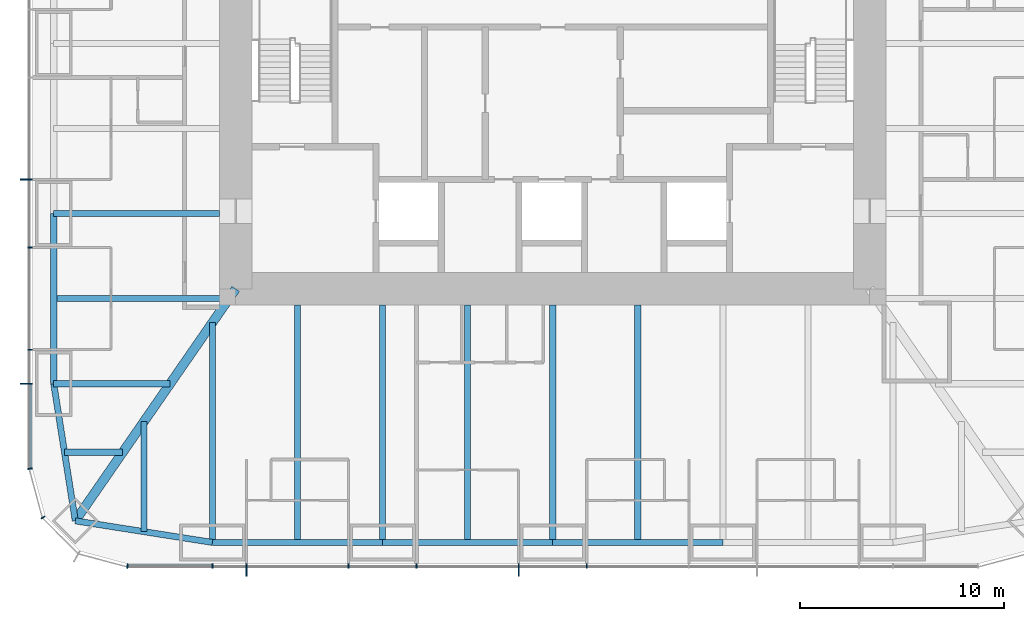
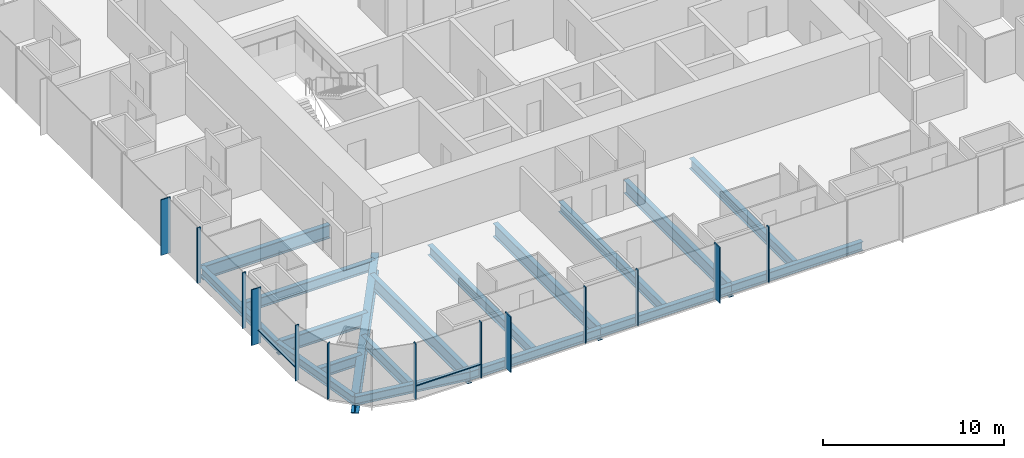
# One storey, part 2 of 13: 18 beams, 15 members, 3 elements without a shape of their own.
"""IFC4 building model written with IfcOpenShell, lengths in metres."""

from ifc_helpers import new_model, si_unit, direction, frame, origin, origin_2d, place, context, subcontext, project, spatial, rectangle, i_section, extrude, material, material_profile, profile_set, type_object, element, aggregate, save


model = new_model("IFC4")

# Units and contexts
model_context = context("Model", 3, precision=1e-05, world=origin(), true_north=direction((0.0, 1.0)))
body_context = subcontext(model_context, "Body", "Model", "MODEL_VIEW")
ifc_project = project(units=[si_unit("LENGTHUNIT", "METRE"), si_unit("AREAUNIT", "SQUARE_METRE"), si_unit("VOLUMEUNIT", "CUBIC_METRE"), si_unit("PLANEANGLEUNIT", "RADIAN"), si_unit("MASSUNIT", "GRAM", prefix="KILO")], contexts=[model_context])

# Site, building, storey
site_placement = place(None, origin())
site = spatial("IfcSite", under=ifc_project, at=site_placement, CompositionType="ELEMENT")
building_placement = place(site_placement, origin())
building = spatial("IfcBuilding", under=site, at=building_placement, Name="Khuree Lantern Residences", CompositionType="ELEMENT")
storey_placement = place(building_placement, frame((0.0, 0.0, 267.0)))
storey = spatial("IfcBuildingStorey", under=building, at=storey_placement, Name="L67", CompositionType="ELEMENT", Elevation=267.0)

# Beams
ifc_material_1 = material(Name="Steel S355", Category="steel")
ifc_material_profile_1 = material_profile(ifc_material_1, i_section(OverallWidth=0.300048828125, OverallDepth=0.68994140625, WebThickness=0.014404296875, FlangeThickness=0.027099609375, FilletRadius=0.027099609375, at=origin_2d()), Name="HE 700 A")
ifc_profile_set_1 = profile_set([ifc_material_profile_1], Name="Steel S355")
beam_type_1 = type_object("IfcBeamType", Name="B-35 SECONDARY BEAM HE 700 A", PredefinedType="BEAM", material=ifc_profile_set_1)
for number, where, z_axis, x_axis, name in (
    (1, (4.159912109375, -24.39990234375, -0.594970703125), (0.0, 1.0, 0.0), (-1.0, 0.0, 0.0), "Secondary beam S3"),
    (2, (-4.159912109375, -24.39990234375, -0.594970703125), (0.0, 1.0, 0.0), (-1.0, 0.0, 0.0), "Secondary beam S4"),
    (3, (-12.47998046875, -24.39990234375, -0.594970703125), (0.0, 1.0, 0.0), (-1.0, 0.0, 0.0), "Secondary beam S5"),
):
    element("IfcBeam", number, at=place(storey_placement, frame(where, z_axis=z_axis, x_axis=x_axis)), inside=storey, type_object=beam_type_1, Name=name, PredefinedType="BEAM", context=body_context, shape_type="SweptSolid", body=[
        extrude(i_section(OverallWidth=0.300048828125, OverallDepth=0.68994140625, WebThickness=0.014404296875, FlangeThickness=0.027099609375, FilletRadius=0.027099609375, at=origin_2d()), origin(), (0.0, 0.0, 1.0), 11.599853515625),
    ])
beam_1_placement = place(storey_placement, frame((-19.992919921875, -23.872802734375, -0.594970703125), z_axis=(0.0, 1.0, 0.0), x_axis=(-1.0, 0.0, 0.0)))
element("IfcBeam", 4, at=beam_1_placement, inside=storey, type_object=beam_type_1, Name="Secondary beam S6", PredefinedType="BEAM", context=body_context, shape_type="SweptSolid", body=[
    extrude(i_section(OverallWidth=0.300048828125, OverallDepth=0.68994140625, WebThickness=0.014404296875, FlangeThickness=0.027099609375, FilletRadius=0.027099609375, at=origin_2d()), origin(), (0.0, 0.0, 1.0), 5.375732421875),
])
beam_2_placement = place(storey_placement, frame((-23.872802734375, -19.992919921875, -0.594970703125), z_axis=(1.0, 0.0, 0.0), x_axis=(0.0, 1.0, 0.0)))
element("IfcBeam", 5, at=beam_2_placement, inside=storey, type_object=beam_type_1, Name="Secondary beam W1", PredefinedType="BEAM", context=body_context, shape_type="SweptSolid", body=[
    extrude(i_section(OverallWidth=0.300048828125, OverallDepth=0.68994140625, WebThickness=0.014404296875, FlangeThickness=0.027099609375, FilletRadius=0.027099609375, at=origin_2d()), origin(), (0.0, 0.0, 1.0), 2.845703125),
])
beam_3_placement = place(storey_placement, frame((-24.39990234375, -12.47998046875, -0.594970703125), z_axis=(1.0, 0.0, 0.0), x_axis=(0.0, 1.0, 0.0)))
element("IfcBeam", 6, at=beam_3_placement, inside=storey, type_object=beam_type_1, Name="Secondary beam W2", PredefinedType="BEAM", context=body_context, shape_type="SweptSolid", body=[
    extrude(i_section(OverallWidth=0.300048828125, OverallDepth=0.68994140625, WebThickness=0.014404296875, FlangeThickness=0.027099609375, FilletRadius=0.027099609375, at=origin_2d()), origin(), (0.0, 0.0, 1.0), 8.56787109375),
])
ifc_material_profile_2 = material_profile(ifc_material_1, i_section(OverallWidth=0.300048828125, OverallDepth=0.590087890625, WebThickness=0.012939453125, FlangeThickness=0.02490234375, FilletRadius=0.027099609375, at=origin_2d()), Name="HE 600 A")
ifc_profile_set_2 = profile_set([ifc_material_profile_2], Name="Steel S355")
beam_type_2 = type_object("IfcBeamType", Name="E-35 SPANDREL BEAM HE 600 A", PredefinedType="SPANDREL", material=ifc_profile_set_2)
for number, where, z_axis, x_axis, name in (
    (7, (8.320068359375, -24.39990234375, -0.544921875), (-1.0, 0.0, 0.0), (0.0, -1.0, 0.0), "Spandrel beam S3"),
    (8, (0.0, -24.39990234375, -0.544921875), (-1.0, 0.0, 0.0), (0.0, -1.0, 0.0), "Spandrel beam S4"),
):
    element("IfcBeam", number, at=place(storey_placement, frame(where, z_axis=z_axis, x_axis=x_axis)), inside=storey, type_object=beam_type_2, Name=name, PredefinedType="SPANDREL", context=body_context, shape_type="SweptSolid", body=[
        extrude(i_section(OverallWidth=0.300048828125, OverallDepth=0.590087890625, WebThickness=0.012939453125, FlangeThickness=0.02490234375, FilletRadius=0.027099609375, at=origin_2d()), origin(), (0.0, 0.0, 1.0), 8.320068359375),
    ])
beam_4_placement = place(storey_placement, frame((-8.320068359375, -24.39990234375, -0.544921875), z_axis=(-1.0, 0.0, 0.0), x_axis=(0.0, -1.0, 0.0)))
element("IfcBeam", 9, at=beam_4_placement, inside=storey, type_object=beam_type_2, Name="Spandrel beam S5", PredefinedType="SPANDREL", context=body_context, shape_type="SweptSolid", body=[
    extrude(i_section(OverallWidth=0.300048828125, OverallDepth=0.590087890625, WebThickness=0.012939453125, FlangeThickness=0.02490234375, FilletRadius=0.027099609375, at=origin_2d()), origin(), (0.0, 0.0, 1.0), 8.31982421875),
])
for number, where, z_axis, x_axis, name in (
    (10, (-16.639892578125, -24.39990234375, -0.544921875), (-0.98786743189, 0.155299507442, 0.0), (-0.155299507442, -0.98786743189, 0.0), "Spandrel beam S6"),
    (11, (-23.345703125, -23.345703125, -0.544921875), (-0.155299507442, 0.98786743189, 0.0), (-0.98786743189, -0.155299507442, 0.0), "Spandrel beam W1"),
):
    element("IfcBeam", number, at=place(storey_placement, frame(where, z_axis=z_axis, x_axis=x_axis)), inside=storey, type_object=beam_type_2, Name=name, PredefinedType="SPANDREL", context=body_context, shape_type="SweptSolid", body=[
        extrude(i_section(OverallWidth=0.300048828125, OverallDepth=0.590087890625, WebThickness=0.012939453125, FlangeThickness=0.02490234375, FilletRadius=0.027099609375, at=origin_2d()), origin(), (0.0, 0.0, 1.0), 6.7880859375),
    ])
beam_5_placement = place(storey_placement, frame((-24.39990234375, -16.639892578125, -0.544921875), z_axis=(0.0, 1.0, 0.0), x_axis=(-1.0, 0.0, 0.0)))
element("IfcBeam", 12, at=beam_5_placement, inside=storey, type_object=beam_type_2, Name="Spandrel beam W2", PredefinedType="SPANDREL", context=body_context, shape_type="SweptSolid", body=[
    extrude(i_section(OverallWidth=0.300048828125, OverallDepth=0.590087890625, WebThickness=0.012939453125, FlangeThickness=0.02490234375, FilletRadius=0.027099609375, at=origin_2d()), origin(), (0.0, 0.0, 1.0), 8.31982421875),
])

# Curtain wall, members
ifc_material_2 = material(Name="Bronze anodised aluminium", Category="aluminium")
curtain_wall_type_1 = type_object("IfcCurtainWallType", Name="CW-T1 TOWER FACE CURTAIN WALL", PredefinedType="USERDEFINED", material=ifc_material_2)
curtain_wall_1_placement = place(storey_placement, origin())
curtain_wall_1 = element("IfcCurtainWall", 13, at=curtain_wall_1_placement, inside=storey, type_object=curtain_wall_type_1, Name="L67 WEST FACE CURTAIN WALL", ObjectType="Stick-built curtain wall", PredefinedType="USERDEFINED")
ifc_material_profile_3 = material_profile(ifc_material_2, rectangle(XDim=0.06494140625, YDim=0.60009765625, at=origin_2d()), Name="F1 65X600")
ifc_profile_set_3 = profile_set([ifc_material_profile_3], Name="Bronze anodised aluminium")
member_type_1 = type_object("IfcMemberType", Name="F1 BRONZE FIN MULLION TOWER 65X600", PredefinedType="MULLION", material=ifc_profile_set_3)
member_1_placement = place(storey_placement, frame((-25.75, -6.656005859375, 0.0), z_axis=(0.0, 0.0, 1.0), x_axis=(0.0, -1.0, 0.0)))
member_1 = element("IfcMember", 14, at=member_1_placement, type_object=member_type_1, Name="L67 WEST FACE FIN MULLION 39", PredefinedType="MULLION", context=body_context, shape_type="SweptSolid", body=[
    extrude(rectangle(XDim=0.06494140625, YDim=0.60009765625, at=origin_2d()), origin(), (0.0, 0.0, 1.0), 3.75),
])
member_2_placement = place(storey_placement, frame((-25.75, -16.639892578125, 0.0), z_axis=(0.0, 0.0, 1.0), x_axis=(0.0, -1.0, 0.0)))
member_2 = element("IfcMember", 15, at=member_2_placement, type_object=member_type_1, Name="L67 WEST FACE FIN MULLION 42", PredefinedType="MULLION", context=body_context, shape_type="SweptSolid", body=[
    extrude(rectangle(XDim=0.06494140625, YDim=0.60009765625, at=origin_2d()), origin(), (0.0, 0.0, 1.0), 3.75),
])

curtain_wall_2_placement = place(storey_placement, origin())
curtain_wall_2 = element("IfcCurtainWall", 16, at=curtain_wall_2_placement, inside=storey, type_object=curtain_wall_type_1, Name="L67 SOUTH FACE CURTAIN WALL", ObjectType="Stick-built curtain wall", PredefinedType="USERDEFINED")
member_3_placement = place(storey_placement, frame((-14.97607421875, -25.75, 0.0), z_axis=(0.0, 0.0, 1.0), x_axis=(1.0, 0.0, 0.0)))
member_3 = element("IfcMember", 17, at=member_3_placement, type_object=member_type_1, Name="L67 SOUTH FACE FIN MULLION 48", PredefinedType="MULLION", context=body_context, shape_type="SweptSolid", body=[
    extrude(rectangle(XDim=0.06494140625, YDim=0.60009765625, at=origin_2d()), origin(), (0.0, 0.0, 1.0), 3.75),
])
member_4_placement = place(storey_placement, frame((-1.6640625, -25.75, 0.0), z_axis=(0.0, 0.0, 1.0), x_axis=(1.0, 0.0, 0.0)))
member_4 = element("IfcMember", 18, at=member_4_placement, type_object=member_type_1, Name="L67 SOUTH FACE FIN MULLION 51", PredefinedType="MULLION", context=body_context, shape_type="SweptSolid", body=[
    extrude(rectangle(XDim=0.06494140625, YDim=0.60009765625, at=origin_2d()), origin(), (0.0, 0.0, 1.0), 3.75),
])

# Beams
ifc_material_profile_4 = material_profile(ifc_material_1, i_section(OverallWidth=0.300048828125, OverallDepth=0.89990234375, WebThickness=0.0185546875, FlangeThickness=0.034912109375, FilletRadius=0.030029296875, at=origin_2d()), Name="HE 900 B")
ifc_profile_set_4 = profile_set([ifc_material_profile_4], Name="Steel S355")
beam_type_3 = type_object("IfcBeamType", Name="G-35 GIRDER HE 900 B", PredefinedType="BEAM", material=ifc_profile_set_4)
for number, where, z_axis, x_axis, name in (
    (19, (0.0, -24.39990234375, -0.699951171875), (0.0, 1.0, 0.0), (-1.0, 0.0, 0.0), "Girder S3"),
    (20, (-8.320068359375, -24.39990234375, -0.699951171875), (0.0, 1.0, 0.0), (-1.0, 0.0, 0.0), "Girder S4"),
):
    element("IfcBeam", number, at=place(storey_placement, frame(where, z_axis=z_axis, x_axis=x_axis)), inside=storey, type_object=beam_type_3, Name=name, PredefinedType="BEAM", context=body_context, shape_type="SweptSolid", body=[
        extrude(i_section(OverallWidth=0.300048828125, OverallDepth=0.89990234375, WebThickness=0.0185546875, FlangeThickness=0.034912109375, FilletRadius=0.030029296875, at=origin_2d()), origin(), (0.0, 0.0, 1.0), 11.599853515625),
    ])
beam_6_placement = place(storey_placement, frame((-16.639892578125, -24.39990234375, -0.699951171875), z_axis=(0.0, 1.0, 0.0), x_axis=(-1.0, 0.0, 0.0)))
element("IfcBeam", 21, at=beam_6_placement, inside=storey, type_object=beam_type_3, Name="Girder S5", PredefinedType="BEAM", context=body_context, shape_type="SweptSolid", body=[
    extrude(i_section(OverallWidth=0.300048828125, OverallDepth=0.89990234375, WebThickness=0.0185546875, FlangeThickness=0.034912109375, FilletRadius=0.030029296875, at=origin_2d()), origin(), (0.0, 0.0, 1.0), 10.751220703125),
])
beam_7_placement = place(storey_placement, frame((-24.39990234375, -16.639892578125, -0.699951171875), z_axis=(1.0, 0.0, 0.0), x_axis=(0.0, 1.0, 0.0)))
element("IfcBeam", 22, at=beam_7_placement, inside=storey, type_object=beam_type_3, Name="Girder W1", PredefinedType="BEAM", context=body_context, shape_type="SweptSolid", body=[
    extrude(i_section(OverallWidth=0.300048828125, OverallDepth=0.89990234375, WebThickness=0.0185546875, FlangeThickness=0.034912109375, FilletRadius=0.030029296875, at=origin_2d()), origin(), (0.0, 0.0, 1.0), 5.69140625),
])
beam_8_placement = place(storey_placement, frame((-24.39990234375, -8.320068359375, -0.699951171875), z_axis=(1.0, 0.0, 0.0), x_axis=(0.0, 1.0, 0.0)))
element("IfcBeam", 23, at=beam_8_placement, inside=storey, type_object=beam_type_3, Name="Girder W2", PredefinedType="BEAM", context=body_context, shape_type="SweptSolid", body=[
    extrude(i_section(OverallWidth=0.300048828125, OverallDepth=0.89990234375, WebThickness=0.0185546875, FlangeThickness=0.034912109375, FilletRadius=0.030029296875, at=origin_2d()), origin(), (0.0, 0.0, 1.0), 8.099853515625),
])
ifc_material_profile_5 = material_profile(ifc_material_1, i_section(OverallWidth=0.449951171875, OverallDepth=1.199951171875, WebThickness=0.02490234375, FlangeThickness=0.044921875, at=origin_2d()), Name="WELDED I 1200X450X25X45")
ifc_profile_set_5 = profile_set([ifc_material_profile_5], Name="Steel S355")
beam_type_4 = type_object("IfcBeamType", Name="GD-35 CORNER GIRDER WELDED I 1200X450X25X45", PredefinedType="BEAM", material=ifc_profile_set_5)
beam_9_placement = place(storey_placement, frame((-23.345703125, -23.345703125, -0.85009765625), z_axis=(0.56876813501, 0.822497907959, 0.0), x_axis=(-0.822497907959, 0.56876813501, 0.0)))
element("IfcBeam", 24, at=beam_9_placement, inside=storey, type_object=beam_type_4, Name="Corner girder SW", PredefinedType="BEAM", context=body_context, shape_type="SweptSolid", body=[
    extrude(i_section(OverallWidth=0.449951171875, OverallDepth=1.199951171875, WebThickness=0.02490234375, FlangeThickness=0.044921875, at=origin_2d()), origin(), (0.0, 0.0, 1.0), 13.794189453125),
])

# Member
ifc_material_profile_6 = material_profile(ifc_material_2, rectangle(XDim=0.06494140625, YDim=0.219970703125, at=origin_2d()), Name="M1 65X220")
ifc_profile_set_6 = profile_set([ifc_material_profile_6], Name="Bronze anodised aluminium")
member_type_2 = type_object("IfcMemberType", Name="M1 BRONZE MULLION TOWER 65X220", PredefinedType="MULLION", material=ifc_profile_set_6)
member_5_placement = place(storey_placement, frame((-25.56005859375, -9.98388671875, 0.0), z_axis=(0.0, 0.0, 1.0), x_axis=(0.0, -1.0, 0.0)))
member_5 = element("IfcMember", 25, at=member_5_placement, type_object=member_type_2, Name="L67 WEST FACE MULLION 40", PredefinedType="MULLION", context=body_context, shape_type="SweptSolid", body=[
    extrude(rectangle(XDim=0.06494140625, YDim=0.219970703125, at=origin_2d()), origin(), (0.0, 0.0, 1.0), 3.75),
])

member_6_placement = place(storey_placement, frame((-25.56005859375, -14.97607421875, 0.0), z_axis=(0.0, 0.0, 1.0), x_axis=(0.0, -1.0, 0.0)))
member_6 = element("IfcMember", 26, at=member_6_placement, type_object=member_type_2, Name="L67 WEST FACE MULLION 41", PredefinedType="MULLION", context=body_context, shape_type="SweptSolid", body=[
    extrude(rectangle(XDim=0.06494140625, YDim=0.219970703125, at=origin_2d()), origin(), (0.0, 0.0, 1.0), 3.75),
])

# Curtain wall, members
curtain_wall_type_2 = type_object("IfcCurtainWallType", Name="CW-T2 TOWER CORNER CURTAIN WALL", PredefinedType="USERDEFINED", material=ifc_material_2)
curtain_wall_3_placement = place(storey_placement, origin())
curtain_wall_3 = element("IfcCurtainWall", 27, at=curtain_wall_3_placement, inside=storey, type_object=curtain_wall_type_2, Name="L67 SOUTH-WEST CORNER CURTAIN WALL", ObjectType="Faceted corner curtain wall", PredefinedType="USERDEFINED")
member_7_placement = place(storey_placement, frame((-25.561767578125, -20.794921875, 0.0), z_axis=(0.0, 0.0, 1.0), x_axis=(0.130526180298, -0.991444862943, 0.0)))
member_7 = element("IfcMember", 28, at=member_7_placement, type_object=member_type_2, Name="L67 SOUTH-WEST CORNER MULLION 43", PredefinedType="MULLION", context=body_context, shape_type="SweptSolid", body=[
    extrude(rectangle(XDim=0.06494140625, YDim=0.219970703125, at=origin_2d()), origin(), (0.0, 0.0, 1.0), 3.75),
])
member_8_placement = place(storey_placement, frame((-24.92236328125, -23.179931640625, 0.0), z_axis=(0.0, 0.0, 1.0), x_axis=(0.499999989586, -0.866025409797, 0.0)))
member_8 = element("IfcMember", 29, at=member_8_placement, type_object=member_type_2, Name="L67 SOUTH-WEST CORNER MULLION 44", PredefinedType="MULLION", context=body_context, shape_type="SweptSolid", body=[
    extrude(rectangle(XDim=0.06494140625, YDim=0.219970703125, at=origin_2d()), origin(), (0.0, 0.0, 1.0), 3.75),
])
aggregate(curtain_wall_3, [member_7, member_8])

# Member
member_9_placement = place(storey_placement, frame((-20.794921875, -25.561767578125, 0.0), z_axis=(0.0, 0.0, 1.0), x_axis=(0.991444862943, -0.130526180298, 0.0)))
member_9 = element("IfcMember", 30, at=member_9_placement, type_object=member_type_2, Name="L67 SOUTH FACE MULLION 46", PredefinedType="MULLION", context=body_context, shape_type="SweptSolid", body=[
    extrude(rectangle(XDim=0.06494140625, YDim=0.219970703125, at=origin_2d()), origin(), (0.0, 0.0, 1.0), 3.75),
])

member_10_placement = place(storey_placement, frame((-16.639892578125, -25.56005859375, 0.0), z_axis=(0.0, 0.0, 1.0), x_axis=(1.0, 0.0, 0.0)))
member_10 = element("IfcMember", 31, at=member_10_placement, type_object=member_type_2, Name="L67 SOUTH FACE MULLION 47", PredefinedType="MULLION", context=body_context, shape_type="SweptSolid", body=[
    extrude(rectangle(XDim=0.06494140625, YDim=0.219970703125, at=origin_2d()), origin(), (0.0, 0.0, 1.0), 3.75),
])

member_11_placement = place(storey_placement, frame((-9.98388671875, -25.56005859375, 0.0), z_axis=(0.0, 0.0, 1.0), x_axis=(1.0, 0.0, 0.0)))
member_11 = element("IfcMember", 32, at=member_11_placement, type_object=member_type_2, Name="L67 SOUTH FACE MULLION 49", PredefinedType="MULLION", context=body_context, shape_type="SweptSolid", body=[
    extrude(rectangle(XDim=0.06494140625, YDim=0.219970703125, at=origin_2d()), origin(), (0.0, 0.0, 1.0), 3.75),
])

member_12_placement = place(storey_placement, frame((-6.656005859375, -25.56005859375, 0.0), z_axis=(0.0, 0.0, 1.0), x_axis=(1.0, 0.0, 0.0)))
member_12 = element("IfcMember", 33, at=member_12_placement, type_object=member_type_2, Name="L67 SOUTH FACE MULLION 50", PredefinedType="MULLION", context=body_context, shape_type="SweptSolid", body=[
    extrude(rectangle(XDim=0.06494140625, YDim=0.219970703125, at=origin_2d()), origin(), (0.0, 0.0, 1.0), 3.75),
])

member_13_placement = place(storey_placement, frame((1.6640625, -25.56005859375, 0.0), z_axis=(0.0, 0.0, 1.0), x_axis=(1.0, 0.0, 0.0)))
member_13 = element("IfcMember", 34, at=member_13_placement, type_object=member_type_2, Name="L67 SOUTH FACE MULLION 52", PredefinedType="MULLION", context=body_context, shape_type="SweptSolid", body=[
    extrude(rectangle(XDim=0.06494140625, YDim=0.219970703125, at=origin_2d()), origin(), (0.0, 0.0, 1.0), 3.75),
])

ifc_material_profile_7 = material_profile(ifc_material_2, rectangle(XDim=0.179931640625, YDim=0.06494140625, at=origin_2d()), Name="T1 180X65")
ifc_profile_set_7 = profile_set([ifc_material_profile_7], Name="Bronze anodised aluminium")
member_type_3 = type_object("IfcMemberType", Name="TRANSOM T1 TOWER 180X65", PredefinedType="USERDEFINED", material=ifc_profile_set_7)
member_14_placement = place(storey_placement, frame((-25.570068359375, -16.672607421875, 0.89990234375), z_axis=(0.0, -1.0, 0.0), x_axis=(1.0, 0.0, 0.0)))
member_14 = element("IfcMember", 35, at=member_14_placement, type_object=member_type_3, Name="L67 WEST FACE TRANSOM 42.1", ObjectType="Transom", PredefinedType="USERDEFINED", context=body_context, shape_type="SweptSolid", body=[
    extrude(rectangle(XDim=0.179931640625, YDim=0.06494140625, at=origin_2d()), origin(), (0.0, 0.0, 1.0), 4.078857421875),
])

aggregate(curtain_wall_1, [member_1, member_5, member_6, member_2, member_14])

member_15_placement = place(storey_placement, frame((-20.75146484375, -25.570068359375, 0.89990234375), z_axis=(1.0, 0.0, 0.0), x_axis=(0.0, 1.0, 0.0)))
member_15 = element("IfcMember", 36, at=member_15_placement, type_object=member_type_3, Name="L67 SOUTH FACE TRANSOM 46.1", ObjectType="Transom", PredefinedType="USERDEFINED", context=body_context, shape_type="SweptSolid", body=[
    extrude(rectangle(XDim=0.179931640625, YDim=0.06494140625, at=origin_2d()), origin(), (0.0, 0.0, 1.0), 4.078857421875),
])

aggregate(curtain_wall_2, [member_9, member_10, member_3, member_11, member_12, member_4, member_13, member_15])

save(model, "model.ifc")
